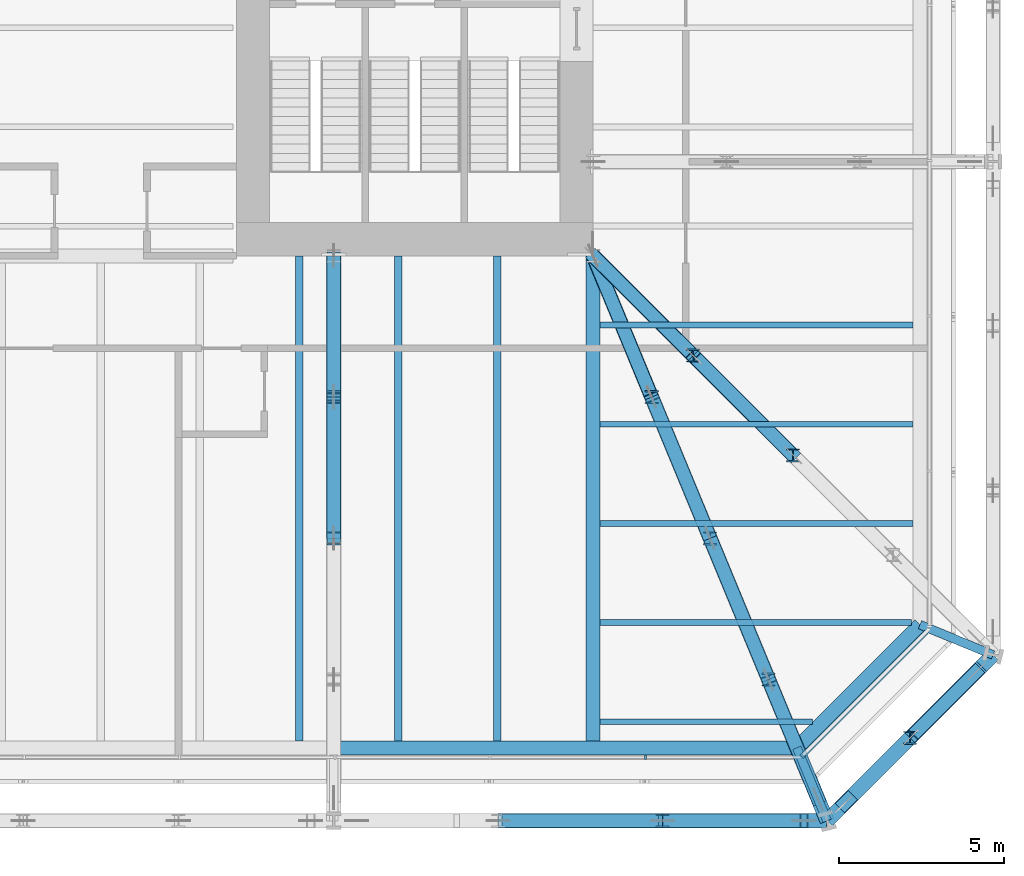
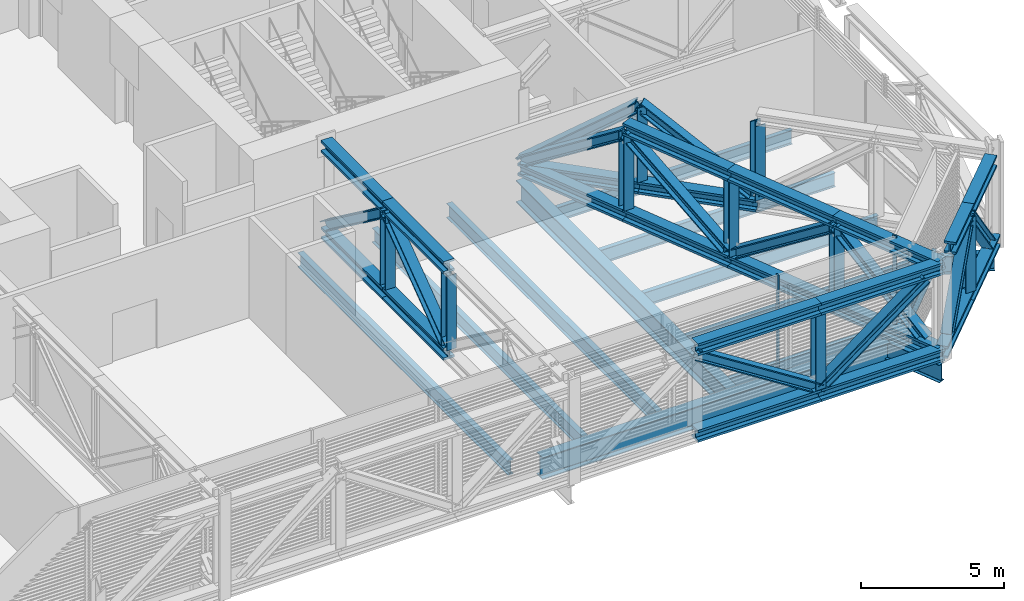
# One storey, part 10 of 33: 34 beams, 24 members, 2 elements without a shape of their own.
"""IFC4 building model written with IfcOpenShell, lengths in metres."""

from ifc_helpers import new_model, si_unit, direction, frame, origin, origin_2d, place, context, subcontext, project, spatial, rectangle, i_section, extrude, material, layer, layer_set, material_profile, profile_set, type_object, element, aggregate, save


model = new_model("IFC4")

# Units and contexts
model_context = context("Model", 3, precision=1e-05, world=origin(), true_north=direction((0.0, 1.0)))
body_context = subcontext(model_context, "Body", "Model", "MODEL_VIEW")
ifc_project = project(units=[si_unit("LENGTHUNIT", "METRE"), si_unit("AREAUNIT", "SQUARE_METRE"), si_unit("VOLUMEUNIT", "CUBIC_METRE"), si_unit("PLANEANGLEUNIT", "RADIAN"), si_unit("MASSUNIT", "GRAM", prefix="KILO")], contexts=[model_context])

# Site, building, storey
site_placement = place(None, origin())
site = spatial("IfcSite", under=ifc_project, at=site_placement, CompositionType="ELEMENT")
building_placement = place(site_placement, origin())
building = spatial("IfcBuilding", under=site, at=building_placement, Name="Millrace Tower", CompositionType="ELEMENT")
storey_placement = place(building_placement, frame((0.0, 0.0, 64.10009765625)))
storey = spatial("IfcBuildingStorey", under=building, at=storey_placement, Name="L14", CompositionType="ELEMENT", Elevation=64.10009765625)

# Beams
ifc_material_1 = material(Name="Steel ASTM A992 Grade 50", Category="steel")
ifc_material_profile_1 = material_profile(ifc_material_1, i_section(OverallWidth=0.436767578125, OverallDepth=0.51318359375, WebThickness=0.060546875, FlangeThickness=0.096923828125, FilletRadius=0.01513671875, at=origin_2d()))
ifc_profile_set_1 = profile_set([ifc_material_profile_1], Name="Steel ASTM A992 Grade 50")
beam_type_1 = type_object("IfcBeamType", Name="Belt truss chord W14x550", PredefinedType="BEAM", material=ifc_profile_set_1)
for number, where, z_axis, x_axis, name in (
    (1, (12.026123046875, -27.0, 0.25634765625), (1.0, 0.0, 0.0), (0.0, 1.0, 0.0), "BLT-L14-R04-B02"),
    (2, (12.026123046875, -27.0, 3.943359375), (1.0, 0.0, 0.0), (0.0, 1.0, 0.0), "BLT-L14-R04-T02"),
):
    element("IfcBeam", number, at=place(storey_placement, frame(where, z_axis=z_axis, x_axis=x_axis)), inside=storey, type_object=beam_type_1, Name=name, PredefinedType="BEAM", context=body_context, shape_type="SweptSolid", body=[
        extrude(i_section(OverallWidth=0.436767578125, OverallDepth=0.51318359375, WebThickness=0.060546875, FlangeThickness=0.096923828125, FilletRadius=0.01513671875, at=origin_2d()), origin(), (0.0, 0.0, 1.0), 4.97607421875),
    ])
beam_1_placement = place(storey_placement, frame((17.002197265625, -27.0, 0.25634765625), z_axis=(1.0, 0.0, 0.0), x_axis=(0.0, 1.0, 0.0)))
element("IfcBeam", 3, at=beam_1_placement, inside=storey, type_object=beam_type_1, Name="BLT-L14-R04-B03", PredefinedType="BEAM", context=body_context, shape_type="SweptSolid", body=[
    extrude(i_section(OverallWidth=0.436767578125, OverallDepth=0.51318359375, WebThickness=0.060546875, FlangeThickness=0.096923828125, FilletRadius=0.01513671875, at=origin_2d()), origin(), (0.0, 0.0, 1.0), 4.976318359375),
])
for number, where, z_axis, x_axis, name in (
    (4, (21.978515625, -27.0, 0.25634765625), (0.707106781187, 0.707106781187, 0.0), (-0.707106781187, 0.707106781187, 0.0), "BLT-L14-R05-B01"),
    (5, (24.4892578125, -24.4892578125, 0.25634765625), (0.707106781187, 0.707106781187, 0.0), (-0.707106781187, 0.707106781187, 0.0), "BLT-L14-R05-B02"),
):
    element("IfcBeam", number, at=place(storey_placement, frame(where, z_axis=z_axis, x_axis=x_axis)), inside=storey, type_object=beam_type_1, Name=name, PredefinedType="BEAM", context=body_context, shape_type="SweptSolid", body=[
        extrude(i_section(OverallWidth=0.436767578125, OverallDepth=0.51318359375, WebThickness=0.060546875, FlangeThickness=0.096923828125, FilletRadius=0.01513671875, at=origin_2d()), origin(), (0.0, 0.0, 1.0), 3.55078125),
    ])
beam_2_placement = place(storey_placement, frame((17.002197265625, -27.0, 3.943359375), z_axis=(1.0, 0.0, 0.0), x_axis=(0.0, 1.0, 0.0)))
element("IfcBeam", 6, at=beam_2_placement, inside=storey, type_object=beam_type_1, Name="BLT-L14-R04-T03", PredefinedType="BEAM", context=body_context, shape_type="SweptSolid", body=[
    extrude(i_section(OverallWidth=0.436767578125, OverallDepth=0.51318359375, WebThickness=0.060546875, FlangeThickness=0.096923828125, FilletRadius=0.01513671875, at=origin_2d()), origin(), (0.0, 0.0, 1.0), 4.958984375),
])
beam_3_placement = place(storey_placement, frame((22.7578125, -26.220703125, 3.943359375), z_axis=(0.707106781187, 0.707106781187, 0.0), x_axis=(-0.707106781187, 0.707106781187, 0.0)))
element("IfcBeam", 7, at=beam_3_placement, inside=storey, type_object=beam_type_1, Name="BLT-L14-R05-T01", PredefinedType="BEAM", context=body_context, shape_type="SweptSolid", body=[
    extrude(i_section(OverallWidth=0.436767578125, OverallDepth=0.51318359375, WebThickness=0.060546875, FlangeThickness=0.096923828125, FilletRadius=0.01513671875, at=origin_2d()), origin(), (0.0, 0.0, 1.0), 2.44873046875),
])
beam_4_placement = place(storey_placement, frame((24.4892578125, -24.4892578125, 3.943359375), z_axis=(0.707066927345, 0.707146632782, 0.0), x_axis=(-0.707146632782, 0.707066927345, 0.0)))
element("IfcBeam", 8, at=beam_4_placement, inside=storey, type_object=beam_type_1, Name="BLT-L14-R05-T02", PredefinedType="BEAM", context=body_context, shape_type="SweptSolid", body=[
    extrude(i_section(OverallWidth=0.436767578125, OverallDepth=0.51318359375, WebThickness=0.060546875, FlangeThickness=0.096923828125, FilletRadius=0.01513671875, at=origin_2d()), origin(), (0.0, 0.0, 1.0), 3.06298828125),
])

# Members
ifc_material_2 = material(Name="Steel ASTM A992 Grade 50", Category="steel")
ifc_material_profile_2 = material_profile(ifc_material_2, i_section(OverallWidth=0.40380859375, OverallDepth=0.406494140625, WebThickness=0.027099609375, FlangeThickness=0.043701171875, FilletRadius=0.01513671875, at=origin_2d()))
ifc_profile_set_2 = profile_set([ifc_material_profile_2], Name="Steel ASTM A992 Grade 50")
member_type_1 = type_object("IfcMemberType", Name="Belt truss diagonal W14x233", PredefinedType="BRACE", material=ifc_profile_set_2)
member_1_placement = place(storey_placement, frame((17.002197265625, -27.0, 0.512939453125), z_axis=(-0.843105769353, 0.0, 0.537747767716), x_axis=(0.0, -1.0, 0.0)))
element("IfcMember", 9, at=member_1_placement, inside=storey, type_object=member_type_1, Name="BLT-L14-R04-D02", PredefinedType="BRACE", context=body_context, shape_type="SweptSolid", body=[
    extrude(i_section(OverallWidth=0.40380859375, OverallDepth=0.406494140625, WebThickness=0.027099609375, FlangeThickness=0.043701171875, FilletRadius=0.01513671875, at=origin_2d()), origin(), (0.0, 0.0, 1.0), 5.902099609375),
])
member_2_placement = place(storey_placement, frame((17.002197265625, -27.0, 0.512939453125), z_axis=(0.802988323282, 0.0, 0.59599475893), x_axis=(0.0, 1.0, 0.0)))
element("IfcMember", 10, at=member_2_placement, inside=storey, type_object=member_type_1, Name="BLT-L14-R04-D03", PredefinedType="BRACE", context=body_context, shape_type="SweptSolid", body=[
    extrude(i_section(OverallWidth=0.40380859375, OverallDepth=0.406494140625, WebThickness=0.027099609375, FlangeThickness=0.043701171875, FilletRadius=0.01513671875, at=origin_2d()), origin(), (0.0, 0.0, 1.0), 5.3251953125),
])
for number, where, z_axis, x_axis, name in (
    (11, (22.473388671875, -26.505126953125, 0.512939453125), (0.472518684194, 0.472518684194, 0.743943671372), (-0.707106781187, 0.707106781187, 0.0), "BLT-L14-R05-D01"),
    (12, (26.505126953125, -22.473388671875, 0.512939453125), (-0.472518684194, -0.472518684194, 0.743943671372), (0.707106781187, -0.707106781187, 0.0), "BLT-L14-R05-D02"),
):
    element("IfcMember", number, at=place(storey_placement, frame(where, z_axis=z_axis, x_axis=x_axis)), inside=storey, type_object=member_type_1, Name=name, PredefinedType="BRACE", context=body_context, shape_type="SweptSolid", body=[
        extrude(i_section(OverallWidth=0.40380859375, OverallDepth=0.406494140625, WebThickness=0.027099609375, FlangeThickness=0.043701171875, FilletRadius=0.01513671875, at=origin_2d()), origin(), (0.0, 0.0, 1.0), 4.26611328125),
    ])
ifc_material_3 = material(Name="Steel ASTM A992 Grade 50", Category="steel")
ifc_material_profile_3 = material_profile(ifc_material_3, i_section(OverallWidth=0.398681640625, OverallDepth=0.393798828125, WebThickness=0.022705078125, FlangeThickness=0.03662109375, FilletRadius=0.01513671875, at=origin_2d()))
ifc_profile_set_3 = profile_set([ifc_material_profile_3], Name="Steel ASTM A992 Grade 50")
member_type_2 = type_object("IfcMemberType", Name="Belt truss post W14x193", PredefinedType="POST", material=ifc_profile_set_3)
for number, where, z_axis, x_axis, name in (
    (13, (17.002197265625, -27.0, 0.512939453125), (0.0, 0.0, 1.0), (1.0, 0.0, 0.0), "BLT-L14-R04-V02"),
    (14, (24.4892578125, -24.4892578125, 0.512939453125), (0.0, 0.0, 1.0), (1.0, 0.0, 0.0), "BLT-L14-R05-V01"),
):
    element("IfcMember", number, at=place(storey_placement, frame(where, z_axis=z_axis, x_axis=x_axis)), inside=storey, type_object=member_type_2, Name=name, PredefinedType="POST", context=body_context, shape_type="SweptSolid", body=[
        extrude(i_section(OverallWidth=0.398681640625, OverallDepth=0.393798828125, WebThickness=0.022705078125, FlangeThickness=0.03662109375, FilletRadius=0.01513671875, at=origin_2d()), origin(), (0.0, 0.0, 1.0), 3.173828125),
    ])

# Curtain wall, member
ifc_material_4 = material(Name="Aluminium and glass", Category="aluminium")
ifc_layer = layer(ifc_material_4, 0.14990234375)
ifc_layer_set = layer_set([ifc_layer], Name="Aluminium and glass")
curtain_wall_type = type_object("IfcCurtainWallType", Name="CW-5 truss and plant storey louvred infill", PredefinedType="NOTDEFINED", material=ifc_layer_set)
placement = place(storey_placement, origin())
curtain_wall_1 = element("IfcCurtainWall", 15, at=placement, inside=storey, type_object=curtain_wall_type, Name="Curtain wall A-F02 L14", PredefinedType="NOTDEFINED")
ifc_material_5 = material(Name="Aluminium", Category="aluminium")
ifc_material_profile_4 = material_profile(ifc_material_5, rectangle(XDim=0.06494140625, YDim=0.14990234375, at=origin_2d()))
ifc_profile_set_4 = profile_set([ifc_material_profile_4], Name="Aluminium")
member_type_3 = type_object("IfcMemberType", Name="CW-5 truss and plant storey louvred infill mullion", PredefinedType="MULLION", material=ifc_profile_set_4)
member_3_placement = place(storey_placement, frame((16.482421875, -25.074951171875, 0.139892578125), z_axis=(0.0, 0.0, 1.0), x_axis=(1.0, 0.0, 0.0)))
member_3 = element("IfcMember", 16, at=member_3_placement, type_object=member_type_3, Name="CW5 mullion A-F02.9", PredefinedType="MULLION", context=body_context, shape_type="SweptSolid", body=[
    extrude(rectangle(XDim=0.06494140625, YDim=0.14990234375, at=origin_2d()), origin(), (0.0, 0.0, 1.0), 4.159912109375),
])
aggregate(curtain_wall_1, [member_3])

# Curtain wall, members
curtain_wall_2 = element("IfcCurtainWall", 17, at=placement, inside=storey, type_object=curtain_wall_type, Name="Curtain wall A-F03 L14", PredefinedType="NOTDEFINED")
member_4_placement = place(storey_placement, frame((21.22607421875, -25.030029296875, 0.139892578125), z_axis=(0.0, 0.0, 1.0), x_axis=(0.707106781187, 0.707106781187, 0.0)))
member_4 = element("IfcMember", 18, at=member_4_placement, type_object=member_type_3, Name="CW5 mullion A-F03.1", PredefinedType="MULLION", context=body_context, shape_type="SweptSolid", body=[
    extrude(rectangle(XDim=0.06494140625, YDim=0.14990234375, at=origin_2d()), origin(), (0.0, 0.0, 1.0), 4.159912109375),
])
ifc_material_6 = material(Name="Aluminium", Category="aluminium")
ifc_material_profile_5 = material_profile(ifc_material_6, rectangle(XDim=0.14990234375, YDim=0.139892578125, at=origin_2d()))
ifc_profile_set_5 = profile_set([ifc_material_profile_5], Name="Aluminium")
member_type_4 = type_object("IfcMemberType", Name="CW-5 truss and plant storey louvred infill transom", PredefinedType="USERDEFINED", material=ifc_profile_set_5)
member_5_placement = place(storey_placement, frame((21.273681640625, -24.982421875, 0.06982421875), z_axis=(0.707106781187, 0.707106781187, 0.0), x_axis=(-0.707106781187, 0.707106781187, 0.0)))
member_5 = element("IfcMember", 19, at=member_5_placement, type_object=member_type_4, Name="CW5 transom A-F03.1", ObjectType="TRANSOM", PredefinedType="USERDEFINED", context=body_context, shape_type="SweptSolid", body=[
    extrude(rectangle(XDim=0.14990234375, YDim=0.139892578125, at=origin_2d()), origin(), (0.0, 0.0, 1.0), 5.244873046875),
])
aggregate(curtain_wall_2, [member_4, member_5])

# Beams
ifc_material_7 = material(Name="Steel ASTM A992 Grade 50", Category="steel")
ifc_material_profile_6 = material_profile(ifc_material_7, i_section(OverallWidth=0.1650390625, OverallDepth=0.52587890625, WebThickness=0.0087890625, FlangeThickness=0.011474609375, FilletRadius=0.0126953125, at=origin_2d()))
ifc_profile_set_6 = profile_set([ifc_material_profile_6], Name="Steel ASTM A992 Grade 50")
beam_type_2 = type_object("IfcBeamType", Name="Floor beam W21x44", PredefinedType="JOIST", material=ifc_profile_set_6)
beam_5_placement = place(storey_placement, frame((15.112060546875, -24.0, -0.512939453125), z_axis=(1.0, 0.0, 0.0), x_axis=(0.0, 1.0, 0.0)))
element("IfcBeam", 20, at=beam_5_placement, inside=storey, type_object=beam_type_2, Name="BM-A-L14-S1-S002", PredefinedType="JOIST", context=body_context, shape_type="SweptSolid", body=[
    extrude(i_section(OverallWidth=0.1650390625, OverallDepth=0.52587890625, WebThickness=0.0087890625, FlangeThickness=0.011474609375, FilletRadius=0.0126953125, at=origin_2d()), origin(), (0.0, 0.0, 1.0), 6.421630859375),
])
ifc_material_8 = material(Name="Steel ASTM A992 Grade 50", Category="steel")
ifc_material_profile_7 = material_profile(ifc_material_8, i_section(OverallWidth=0.177978515625, OverallDepth=0.599365234375, WebThickness=0.010009765625, FlangeThickness=0.012939453125, FilletRadius=0.012939453125, at=origin_2d()))
ifc_profile_set_7 = profile_set([ifc_material_profile_7], Name="Steel ASTM A992 Grade 50")
beam_type_3 = type_object("IfcBeamType", Name="Floor beam W24x55", PredefinedType="JOIST", material=ifc_profile_set_7)
for number, where, z_axis, x_axis, name in (
    (21, (15.112060546875, -18.0, -0.5498046875), (1.0, 0.0, 0.0), (0.0, 1.0, 0.0), "BM-A-L14-S1-S006"),
    (22, (15.112060546875, -15.0, -0.5498046875), (1.0, 0.0, 0.0), (0.0, 1.0, 0.0), "BM-A-L14-S1-S008"),
    (23, (15.112060546875, -12.0, -0.5498046875), (1.0, 0.0, 0.0), (0.0, 1.0, 0.0), "BM-A-L14-S1-S010"),
):
    element("IfcBeam", number, at=place(storey_placement, frame(where, z_axis=z_axis, x_axis=x_axis)), inside=storey, type_object=beam_type_3, Name=name, PredefinedType="JOIST", context=body_context, shape_type="SweptSolid", body=[
        extrude(i_section(OverallWidth=0.177978515625, OverallDepth=0.599365234375, WebThickness=0.010009765625, FlangeThickness=0.012939453125, FilletRadius=0.012939453125, at=origin_2d()), origin(), (0.0, 0.0, 1.0), 9.46630859375),
    ])
beam_6_placement = place(storey_placement, frame((15.112060546875, -21.0, -0.5498046875), z_axis=(1.0, 0.0, 0.0), x_axis=(0.0, 1.0, 0.0)))
element("IfcBeam", 24, at=beam_6_placement, inside=storey, type_object=beam_type_3, Name="BM-A-L14-S1-S004", PredefinedType="JOIST", context=body_context, shape_type="SweptSolid", body=[
    extrude(i_section(OverallWidth=0.177978515625, OverallDepth=0.599365234375, WebThickness=0.010009765625, FlangeThickness=0.012939453125, FilletRadius=0.012939453125, at=origin_2d()), origin(), (0.0, 0.0, 1.0), 9.417724609375),
])
ifc_material_9 = material(Name="Steel ASTM A992 Grade 50", Category="steel")
ifc_material_profile_8 = material_profile(ifc_material_9, i_section(OverallWidth=0.228271484375, OverallDepth=0.607177734375, WebThickness=0.01123046875, FlangeThickness=0.017333984375, FilletRadius=0.0126953125, at=origin_2d()))
ifc_profile_set_8 = profile_set([ifc_material_profile_8], Name="Steel ASTM A992 Grade 50")
beam_type_4 = type_object("IfcBeamType", Name="Floor beam W24x76", PredefinedType="JOIST", material=ifc_profile_set_8)
for number, where, z_axis, x_axis, name in (
    (25, (6.0, -24.578369140625, -0.5537109375), (0.0, 1.0, 0.0), (-1.0, 0.0, 0.0), "BM-A-L14-S1-S055"),
    (26, (9.0, -24.578369140625, -0.5537109375), (0.0, 1.0, 0.0), (-1.0, 0.0, 0.0), "BM-A-L14-S1-S057"),
    (27, (12.0, -24.578369140625, -0.5537109375), (0.0, 1.0, 0.0), (-1.0, 0.0, 0.0), "BM-A-L14-S1-S059"),
):
    element("IfcBeam", number, at=place(storey_placement, frame(where, z_axis=z_axis, x_axis=x_axis)), inside=storey, type_object=beam_type_4, Name=name, PredefinedType="JOIST", context=body_context, shape_type="SweptSolid", body=[
        extrude(i_section(OverallWidth=0.228271484375, OverallDepth=0.607177734375, WebThickness=0.01123046875, FlangeThickness=0.017333984375, FilletRadius=0.0126953125, at=origin_2d()), origin(), (0.0, 0.0, 1.0), 14.678466796875),
    ])
ifc_material_10 = material(Name="Steel ASTM A992 Grade 50", Category="steel")
ifc_material_profile_9 = material_profile(ifc_material_10, i_section(OverallWidth=0.424072265625, OverallDepth=0.947509765625, WebThickness=0.02392578125, FlangeThickness=0.042724609375, FilletRadius=0.024169921875, at=origin_2d()))
ifc_profile_set_9 = profile_set([ifc_material_profile_9], Name="Steel ASTM A992 Grade 50")
beam_type_5 = type_object("IfcBeamType", Name="Girder medium span W36x302", PredefinedType="BEAM", material=ifc_profile_set_9)
beam_7_placement = place(storey_placement, frame((14.89990234375, -24.578369140625, -0.723876953125), z_axis=(0.0, 1.0, 0.0), x_axis=(-1.0, 0.0, 0.0)))
element("IfcBeam", 28, at=beam_7_placement, inside=storey, type_object=beam_type_5, Name="BM-A-L14-S1-G063", PredefinedType="BEAM", context=body_context, shape_type="SweptSolid", body=[
    extrude(i_section(OverallWidth=0.424072265625, OverallDepth=0.947509765625, WebThickness=0.02392578125, FlangeThickness=0.042724609375, FilletRadius=0.024169921875, at=origin_2d()), origin(), (0.0, 0.0, 1.0), 14.678466796875),
])
ifc_material_11 = material(Name="Steel ASTM A992 Grade 50", Category="steel")
ifc_material_profile_10 = material_profile(ifc_material_11, i_section(OverallWidth=0.2666015625, OverallDepth=0.7568359375, WebThickness=0.013916015625, FlangeThickness=0.019287109375, FilletRadius=0.0166015625, at=origin_2d()))
ifc_profile_set_10 = profile_set([ifc_material_profile_10], Name="Steel ASTM A992 Grade 50")
beam_type_6 = type_object("IfcBeamType", Name="Link beam W30x108", PredefinedType="BEAM", material=ifc_profile_set_10)
for number, where, z_axis, x_axis, name in (
    (29, (24.7890625, -21.062744140625, -0.628662109375), (0.923883789366, -0.382673155247, 0.0), (0.382673155247, 0.923883789366, 0.0), "LNK-A-L14-S1-12"),
    (30, (21.062744140625, -24.7890625, -0.628662109375), (0.382673155247, -0.923883789366, 0.0), (0.923883789366, 0.382673155247, 0.0), "LNK-A-L14-S1-13"),
):
    element("IfcBeam", number, at=place(storey_placement, frame(where, z_axis=z_axis, x_axis=x_axis)), inside=storey, type_object=beam_type_6, Name=name, PredefinedType="BEAM", context=body_context, shape_type="SweptSolid", body=[
        extrude(i_section(OverallWidth=0.2666015625, OverallDepth=0.7568359375, WebThickness=0.013916015625, FlangeThickness=0.019287109375, FilletRadius=0.0166015625, at=origin_2d()), origin(), (0.0, 0.0, 1.0), 2.39306640625),
    ])
ifc_material_12 = material(Name="Steel ASTM A992 Grade 50", Category="steel")
ifc_material_profile_11 = material_profile(ifc_material_12, i_section(OverallWidth=0.436767578125, OverallDepth=0.51318359375, WebThickness=0.060546875, FlangeThickness=0.096923828125, FilletRadius=0.01513671875, at=origin_2d()))
ifc_profile_set_11 = profile_set([ifc_material_profile_11], Name="Steel ASTM A992 Grade 50")
beam_type_7 = type_object("IfcBeamType", Name="Outrigger truss chord W14x550", PredefinedType="BEAM", material=ifc_profile_set_11)
for number, where, z_axis, x_axis, name in (
    (31, (7.050048828125, -9.89990234375, 0.25634765625), (0.0, -1.0, 0.0), (1.0, 0.0, 0.0), "BLT-L14-O04-B01"),
    (32, (7.050048828125, -9.89990234375, 3.943359375), (0.0, -1.0, 0.0), (1.0, 0.0, 0.0), "BLT-L14-O04-T01"),
):
    element("IfcBeam", number, at=place(storey_placement, frame(where, z_axis=z_axis, x_axis=x_axis)), inside=storey, type_object=beam_type_7, Name=name, PredefinedType="BEAM", context=body_context, shape_type="SweptSolid", body=[
        extrude(i_section(OverallWidth=0.436767578125, OverallDepth=0.51318359375, WebThickness=0.060546875, FlangeThickness=0.096923828125, FilletRadius=0.01513671875, at=origin_2d()), origin(), (0.0, 0.0, 1.0), 4.275146484375),
    ])
for number, where, z_axis, x_axis, name in (
    (33, (7.050048828125, -14.175048828125, 0.25634765625), (0.0, -1.0, 0.0), (1.0, 0.0, 0.0), "BLT-L14-O04-B02"),
    (34, (7.050048828125, -14.175048828125, 3.943359375), (0.0, -1.0, 0.0), (1.0, 0.0, 0.0), "BLT-L14-O04-T02"),
):
    element("IfcBeam", number, at=place(storey_placement, frame(where, z_axis=z_axis, x_axis=x_axis)), inside=storey, type_object=beam_type_7, Name=name, PredefinedType="BEAM", context=body_context, shape_type="SweptSolid", body=[
        extrude(i_section(OverallWidth=0.436767578125, OverallDepth=0.51318359375, WebThickness=0.060546875, FlangeThickness=0.096923828125, FilletRadius=0.01513671875, at=origin_2d()), origin(), (0.0, 0.0, 1.0), 4.27490234375),
    ])
beam_8_placement = place(storey_placement, frame((14.89990234375, -9.89990234375, 0.25634765625), z_axis=(0.382490047574, -0.923959611404, 0.0), x_axis=(0.923959611404, 0.382490047574, 0.0)))
element("IfcBeam", 35, at=beam_8_placement, inside=storey, type_object=beam_type_7, Name="BLT-L14-O05-B01", PredefinedType="BEAM", context=body_context, shape_type="SweptSolid", body=[
    extrude(i_section(OverallWidth=0.436767578125, OverallDepth=0.51318359375, WebThickness=0.060546875, FlangeThickness=0.096923828125, FilletRadius=0.01513671875, at=origin_2d()), origin(), (0.0, 0.0, 1.0), 4.626953125),
])
for number, where, z_axis, x_axis, name in (
    (36, (16.669677734375, -14.175048828125, 0.25634765625), (0.382463647717, -0.923970539669, 0.0), (0.923970539669, 0.382463647717, 0.0), "BLT-L14-O05-B02"),
    (37, (16.669677734375, -14.175048828125, 3.943359375), (0.382463647717, -0.923970539669, 0.0), (0.923970539669, 0.382463647717, 0.0), "BLT-L14-O05-T02"),
):
    element("IfcBeam", number, at=place(storey_placement, frame(where, z_axis=z_axis, x_axis=x_axis)), inside=storey, type_object=beam_type_7, Name=name, PredefinedType="BEAM", context=body_context, shape_type="SweptSolid", body=[
        extrude(i_section(OverallWidth=0.436767578125, OverallDepth=0.51318359375, WebThickness=0.060546875, FlangeThickness=0.096923828125, FilletRadius=0.01513671875, at=origin_2d()), origin(), (0.0, 0.0, 1.0), 4.626708984375),
    ])
for number, where, z_axis, x_axis, name in (
    (38, (18.439208984375, -18.449951171875, 0.25634765625), (0.382445001063, -0.923978257949, 0.0), (0.923978257949, 0.382445001063, 0.0), "BLT-L14-O05-B03"),
    (39, (18.439208984375, -18.449951171875, 3.943359375), (0.382445001063, -0.923978257949, 0.0), (0.923978257949, 0.382445001063, 0.0), "BLT-L14-O05-T03"),
):
    element("IfcBeam", number, at=place(storey_placement, frame(where, z_axis=z_axis, x_axis=x_axis)), inside=storey, type_object=beam_type_7, Name=name, PredefinedType="BEAM", context=body_context, shape_type="SweptSolid", body=[
        extrude(i_section(OverallWidth=0.436767578125, OverallDepth=0.51318359375, WebThickness=0.060546875, FlangeThickness=0.096923828125, FilletRadius=0.01513671875, at=origin_2d()), origin(), (0.0, 0.0, 1.0), 4.626953125),
    ])
for number, where, z_axis, x_axis, name in (
    (40, (20.208740234375, -22.72509765625, 0.25634765625), (0.382508695671, -0.923951891462, 0.0), (0.923951891462, 0.382508695671, 0.0), "BLT-L14-O05-B04"),
    (41, (20.208740234375, -22.72509765625, 3.943359375), (0.382508695671, -0.923951891462, 0.0), (0.923951891462, 0.382508695671, 0.0), "BLT-L14-O05-T04"),
):
    element("IfcBeam", number, at=place(storey_placement, frame(where, z_axis=z_axis, x_axis=x_axis)), inside=storey, type_object=beam_type_7, Name=name, PredefinedType="BEAM", context=body_context, shape_type="SweptSolid", body=[
        extrude(i_section(OverallWidth=0.436767578125, OverallDepth=0.51318359375, WebThickness=0.060546875, FlangeThickness=0.096923828125, FilletRadius=0.01513671875, at=origin_2d()), origin(), (0.0, 0.0, 1.0), 4.626708984375),
    ])
beam_9_placement = place(storey_placement, frame((14.89990234375, -9.89990234375, 0.25634765625), z_axis=(0.707734787322, -0.706478216801, 0.0), x_axis=(0.706478216801, 0.707734787322, 0.0)))
element("IfcBeam", 42, at=beam_9_placement, inside=storey, type_object=beam_type_7, Name="BLT-L14-O06-B01", PredefinedType="BEAM", context=body_context, shape_type="SweptSolid", body=[
    extrude(i_section(OverallWidth=0.436767578125, OverallDepth=0.51318359375, WebThickness=0.060546875, FlangeThickness=0.096923828125, FilletRadius=0.01513671875, at=origin_2d()), origin(), (0.0, 0.0, 1.0), 4.2744140625),
])
beam_10_placement = place(storey_placement, frame((17.925048828125, -12.919677734375, 0.25634765625), z_axis=(0.707734838031, -0.706478166002, 0.0), x_axis=(0.706478166002, 0.707734838031, 0.0)))
element("IfcBeam", 43, at=beam_10_placement, inside=storey, type_object=beam_type_7, Name="BLT-L14-O06-B02", PredefinedType="BEAM", context=body_context, shape_type="SweptSolid", body=[
    extrude(i_section(OverallWidth=0.436767578125, OverallDepth=0.51318359375, WebThickness=0.060546875, FlangeThickness=0.096923828125, FilletRadius=0.01513671875, at=origin_2d()), origin(), (0.0, 0.0, 1.0), 4.274169921875),
])

# Members
ifc_material_13 = material(Name="Steel ASTM A992 Grade 50", Category="steel")
ifc_material_profile_12 = material_profile(ifc_material_13, i_section(OverallWidth=0.40380859375, OverallDepth=0.406494140625, WebThickness=0.027099609375, FlangeThickness=0.043701171875, FilletRadius=0.01513671875, at=origin_2d()))
ifc_profile_set_12 = profile_set([ifc_material_profile_12], Name="Steel ASTM A992 Grade 50")
member_type_5 = type_object("IfcMemberType", Name="Outrigger truss diagonal W14x233", PredefinedType="BRACE", material=ifc_profile_set_12)
member_6_placement = place(storey_placement, frame((7.050048828125, -9.89990234375, 0.512939453125), z_axis=(0.0, -0.802923169461, 0.596082531151), x_axis=(1.0, 0.0, 0.0)))
element("IfcMember", 44, at=member_6_placement, inside=storey, type_object=member_type_5, Name="BLT-L14-O04-D01", PredefinedType="BRACE", context=body_context, shape_type="SweptSolid", body=[
    extrude(i_section(OverallWidth=0.40380859375, OverallDepth=0.406494140625, WebThickness=0.027099609375, FlangeThickness=0.043701171875, FilletRadius=0.01513671875, at=origin_2d()), origin(), (0.0, 0.0, 1.0), 5.324462890625),
])
member_7_placement = place(storey_placement, frame((7.050048828125, -18.449951171875, 0.512939453125), z_axis=(0.0, 0.802906876507, 0.596104477133), x_axis=(-1.0, 0.0, 0.0)))
element("IfcMember", 45, at=member_7_placement, inside=storey, type_object=member_type_5, Name="BLT-L14-O04-D02", PredefinedType="BRACE", context=body_context, shape_type="SweptSolid", body=[
    extrude(i_section(OverallWidth=0.40380859375, OverallDepth=0.406494140625, WebThickness=0.027099609375, FlangeThickness=0.043701171875, FilletRadius=0.01513671875, at=origin_2d()), origin(), (0.0, 0.0, 1.0), 5.32421875),
])
member_8_placement = place(storey_placement, frame((14.89990234375, -9.89990234375, 0.512939453125), z_axis=(0.315417539881, -0.761936341683, 0.56565429969), x_axis=(0.923959611404, 0.382490047574, 0.0)))
element("IfcMember", 46, at=member_8_placement, inside=storey, type_object=member_type_5, Name="BLT-L14-O05-D01", PredefinedType="BRACE", context=body_context, shape_type="SweptSolid", body=[
    extrude(i_section(OverallWidth=0.40380859375, OverallDepth=0.406494140625, WebThickness=0.027099609375, FlangeThickness=0.043701171875, FilletRadius=0.01513671875, at=origin_2d()), origin(), (0.0, 0.0, 1.0), 5.61083984375),
])
member_9_placement = place(storey_placement, frame((18.439208984375, -18.449951171875, 0.512939453125), z_axis=(-0.315388812458, 0.761928546652, 0.565680817046), x_axis=(-0.923970539669, -0.382463647717, 0.0)))
element("IfcMember", 47, at=member_9_placement, inside=storey, type_object=member_type_5, Name="BLT-L14-O05-D02", PredefinedType="BRACE", context=body_context, shape_type="SweptSolid", body=[
    extrude(i_section(OverallWidth=0.40380859375, OverallDepth=0.406494140625, WebThickness=0.027099609375, FlangeThickness=0.043701171875, FilletRadius=0.01513671875, at=origin_2d()), origin(), (0.0, 0.0, 1.0), 5.610595703125),
])
member_10_placement = place(storey_placement, frame((18.439208984375, -18.449951171875, 0.512939453125), z_axis=(0.315378356124, -0.761946798301, 0.565662062584), x_axis=(0.923978257949, 0.382445001063, 0.0)))
element("IfcMember", 48, at=member_10_placement, inside=storey, type_object=member_type_5, Name="BLT-L14-O05-D03", PredefinedType="BRACE", context=body_context, shape_type="SweptSolid", body=[
    extrude(i_section(OverallWidth=0.40380859375, OverallDepth=0.406494140625, WebThickness=0.027099609375, FlangeThickness=0.043701171875, FilletRadius=0.01513671875, at=origin_2d()), origin(), (0.0, 0.0, 1.0), 5.61083984375),
])
member_11_placement = place(storey_placement, frame((21.710693359375, -26.353271484375, 0.512939453125), z_axis=(-0.297473659901, 0.718588436246, 0.628601687047), x_axis=(-0.923959256302, -0.382490905374, 0.0)))
element("IfcMember", 49, at=member_11_placement, inside=storey, type_object=member_type_5, Name="BLT-L14-O05-D04", PredefinedType="BRACE", context=body_context, shape_type="SweptSolid", body=[
    extrude(i_section(OverallWidth=0.40380859375, OverallDepth=0.406494140625, WebThickness=0.027099609375, FlangeThickness=0.043701171875, FilletRadius=0.01513671875, at=origin_2d()), origin(), (0.0, 0.0, 1.0), 5.049072265625),
])
member_12_placement = place(storey_placement, frame((14.89990234375, -9.89990234375, 0.512939453125), z_axis=(0.568221724835, -0.567212857274, 0.596149013224), x_axis=(0.706478216801, 0.707734787322, 0.0)))
element("IfcMember", 50, at=member_12_placement, inside=storey, type_object=member_type_5, Name="BLT-L14-O06-D01", PredefinedType="BRACE", context=body_context, shape_type="SweptSolid", body=[
    extrude(i_section(OverallWidth=0.40380859375, OverallDepth=0.406494140625, WebThickness=0.027099609375, FlangeThickness=0.043701171875, FilletRadius=0.01513671875, at=origin_2d()), origin(), (0.0, 0.0, 1.0), 5.323974609375),
])
member_13_placement = place(storey_placement, frame((20.949951171875, -15.939208984375, 0.512939453125), z_axis=(-0.568205452299, 0.567196532207, 0.596180054874), x_axis=(-0.706478166002, -0.707734838031, 0.0)))
element("IfcMember", 51, at=member_13_placement, inside=storey, type_object=member_type_5, Name="BLT-L14-O06-D02", PredefinedType="BRACE", context=body_context, shape_type="SweptSolid", body=[
    extrude(i_section(OverallWidth=0.40380859375, OverallDepth=0.406494140625, WebThickness=0.027099609375, FlangeThickness=0.043701171875, FilletRadius=0.01513671875, at=origin_2d()), origin(), (0.0, 0.0, 1.0), 5.323486328125),
])
ifc_material_14 = material(Name="Steel ASTM A992 Grade 50", Category="steel")
ifc_material_profile_13 = material_profile(ifc_material_14, i_section(OverallWidth=0.398681640625, OverallDepth=0.393798828125, WebThickness=0.022705078125, FlangeThickness=0.03662109375, FilletRadius=0.01513671875, at=origin_2d()))
ifc_profile_set_13 = profile_set([ifc_material_profile_13], Name="Steel ASTM A992 Grade 50")
member_type_6 = type_object("IfcMemberType", Name="Outrigger truss post W14x193", PredefinedType="POST", material=ifc_profile_set_13)
for number, where, z_axis, x_axis, name in (
    (52, (7.050048828125, -14.175048828125, 0.512939453125), (0.0, 0.0, 1.0), (1.0, 0.0, 0.0), "BLT-L14-O04-V01"),
    (53, (7.050048828125, -18.449951171875, 0.512939453125), (0.0, 0.0, 1.0), (1.0, 0.0, 0.0), "BLT-L14-O04-V02"),
    (54, (16.669677734375, -14.175048828125, 0.512939453125), (0.0, 0.0, 1.0), (1.0, 0.0, 0.0), "BLT-L14-O05-V01"),
    (55, (18.439208984375, -18.449951171875, 0.512939453125), (0.0, 0.0, 1.0), (1.0, 0.0, 0.0), "BLT-L14-O05-V02"),
    (56, (20.208740234375, -22.72509765625, 0.512939453125), (0.0, 0.0, 1.0), (1.0, 0.0, 0.0), "BLT-L14-O05-V03"),
    (57, (17.925048828125, -12.919677734375, 0.512939453125), (0.0, 0.0, 1.0), (1.0, 0.0, 0.0), "BLT-L14-O06-V01"),
    (58, (20.949951171875, -15.939208984375, 0.512939453125), (0.0, 0.0, 1.0), (1.0, 0.0, 0.0), "BLT-L14-O06-V02"),
):
    element("IfcMember", number, at=place(storey_placement, frame(where, z_axis=z_axis, x_axis=x_axis)), inside=storey, type_object=member_type_6, Name=name, PredefinedType="POST", context=body_context, shape_type="SweptSolid", body=[
        extrude(i_section(OverallWidth=0.398681640625, OverallDepth=0.393798828125, WebThickness=0.022705078125, FlangeThickness=0.03662109375, FilletRadius=0.01513671875, at=origin_2d()), origin(), (0.0, 0.0, 1.0), 3.173828125),
    ])

# Beams
ifc_material_15 = material(Name="Steel ASTM A992 Grade 50", Category="steel")
ifc_material_profile_14 = material_profile(ifc_material_15, i_section(OverallWidth=0.421630859375, OverallDepth=0.937255859375, WebThickness=0.021240234375, FlangeThickness=0.03662109375, FilletRadius=0.024169921875, at=origin_2d()))
ifc_profile_set_14 = profile_set([ifc_material_profile_14], Name="Steel ASTM A992 Grade 50")
beam_type_8 = type_object("IfcBeamType", Name="Ring beam medium span W36x262", PredefinedType="SPANDREL", material=ifc_profile_set_14)
beam_11_placement = place(storey_placement, frame((21.062744140625, -24.7890625, -0.71875), z_axis=(-1.0, 0.0, 0.0), x_axis=(0.0, -1.0, 0.0)))
element("IfcBeam", 59, at=beam_11_placement, inside=storey, type_object=beam_type_8, Name="RNG-A-L14-S1-13", PredefinedType="SPANDREL", context=body_context, shape_type="SweptSolid", body=[
    extrude(i_section(OverallWidth=0.421630859375, OverallDepth=0.937255859375, WebThickness=0.021240234375, FlangeThickness=0.03662109375, FilletRadius=0.024169921875, at=origin_2d()), origin(), (0.0, 0.0, 1.0), 14.0126953125),
])
ifc_material_16 = material(Name="Steel ASTM A992 Grade 50", Category="steel")
ifc_material_profile_15 = material_profile(ifc_material_16, i_section(OverallWidth=0.421630859375, OverallDepth=0.937255859375, WebThickness=0.021240234375, FlangeThickness=0.03662109375, FilletRadius=0.024169921875, at=origin_2d()))
ifc_profile_set_15 = profile_set([ifc_material_profile_15], Name="Steel ASTM A992 Grade 50")
beam_type_9 = type_object("IfcBeamType", Name="Ring beam short span W36x262", PredefinedType="SPANDREL", material=ifc_profile_set_15)
beam_12_placement = place(storey_placement, frame((24.7890625, -21.062744140625, -0.71875), z_axis=(-0.707106781187, -0.707106781187, 0.0), x_axis=(0.707106781187, -0.707106781187, 0.0)))
element("IfcBeam", 60, at=beam_12_placement, inside=storey, type_object=beam_type_9, Name="RNG-A-L14-S1-12", PredefinedType="SPANDREL", context=body_context, shape_type="SweptSolid", body=[
    extrude(i_section(OverallWidth=0.421630859375, OverallDepth=0.937255859375, WebThickness=0.021240234375, FlangeThickness=0.03662109375, FilletRadius=0.024169921875, at=origin_2d()), origin(), (0.0, 0.0, 1.0), 5.269775390625),
])

save(model, "model.ifc")
